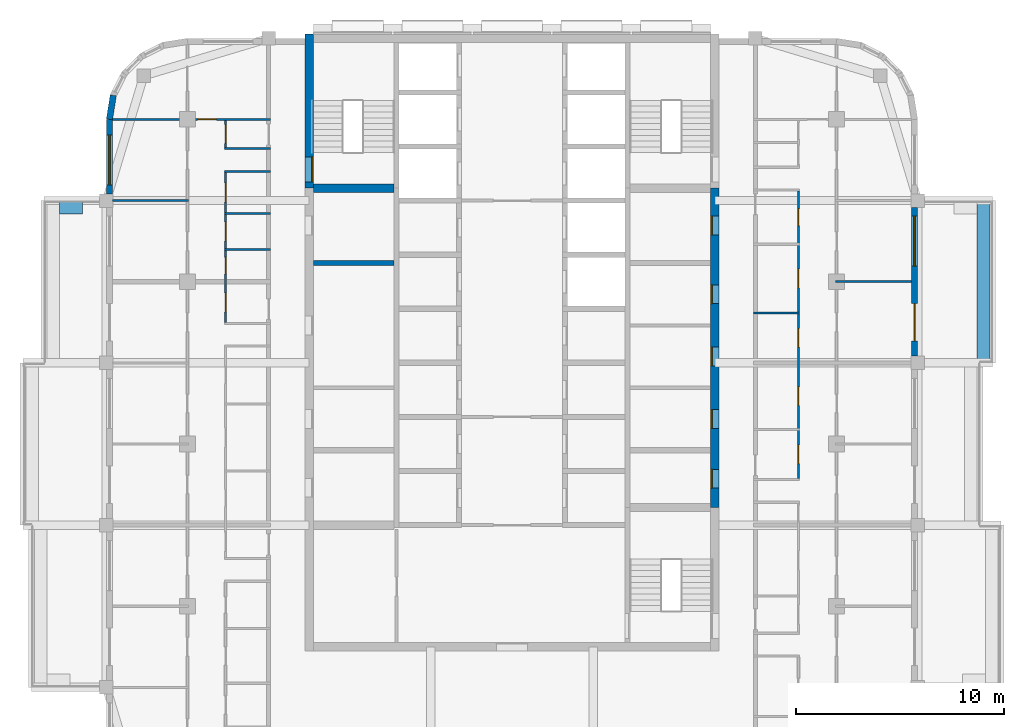
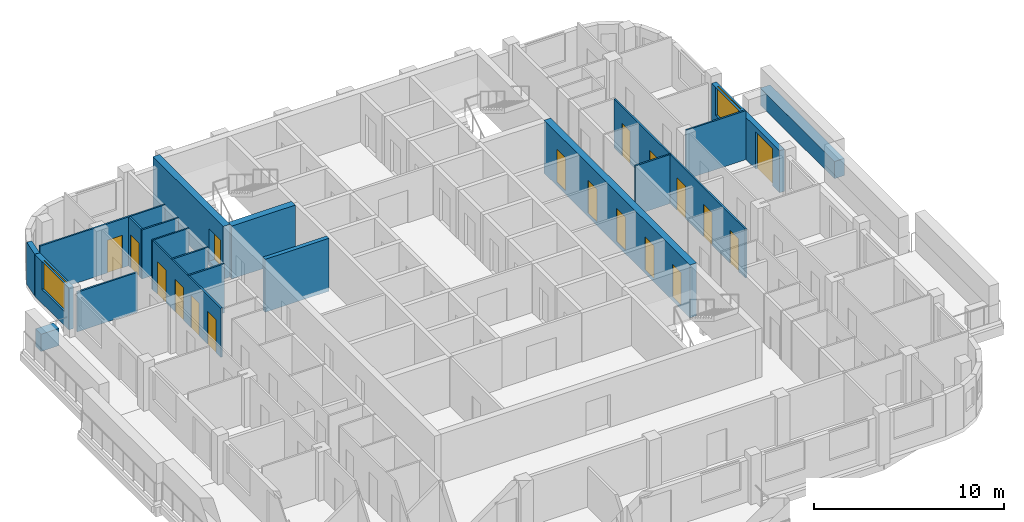
# One storey, part 7 of 13: 20 walls, 18 doors, 2 windows, 20 openings.
"""IFC4 building model written with IfcOpenShell, lengths in metres."""

from ifc_helpers import new_model, si_unit, direction, frame, frame_2d, origin, place, context, subcontext, project, spatial, rectangle, extrude, material, layer, layer_set, type_object, element, fill, save


model = new_model("IFC4")

# Units and contexts
model_context = context("Model", 3, precision=1e-05, world=origin(), true_north=direction((0.0, 1.0)))
body_context = subcontext(model_context, "Body", "Model", "MODEL_VIEW")
ifc_project = project(units=[si_unit("LENGTHUNIT", "METRE"), si_unit("AREAUNIT", "SQUARE_METRE"), si_unit("VOLUMEUNIT", "CUBIC_METRE"), si_unit("PLANEANGLEUNIT", "RADIAN"), si_unit("MASSUNIT", "GRAM", prefix="KILO")], contexts=[model_context])

# Site, building, storey
site_placement = place(None, origin())
site = spatial("IfcSite", under=ifc_project, at=site_placement, CompositionType="ELEMENT")
building_placement = place(site_placement, origin())
building = spatial("IfcBuilding", under=site, at=building_placement, Name="Ludao Terraces", CompositionType="ELEMENT")
storey_placement = place(building_placement, frame((0.0, 0.0, 252.800048828125)))
storey = spatial("IfcBuildingStorey", under=building, at=storey_placement, Name="L69", CompositionType="ELEMENT", Elevation=252.800048828125)

# Wall, opening, door
ifc_material_1 = material(Name="Concrete C50", Category="concrete")
ifc_layer_1 = layer(ifc_material_1, 0.39990234375)
ifc_layer_set_1 = layer_set([ifc_layer_1], Name="Core wall 400 C50")
wall_type_1 = type_object("IfcWallType", Name="Core wall 400 C50", PredefinedType="SOLIDWALL", material=ifc_layer_set_1)
wall_1_placement = place(storey_placement, frame((75.25, 77.300048828125, -0.25), z_axis=(0.0, 0.0, 1.0), x_axis=(0.0, 1.0, 0.0)))
wall_1 = element("IfcWall", 1, at=wall_1_placement, inside=storey, type_object=wall_type_1, Name="Core wall L69 outer-W-S1", PredefinedType="SOLIDWALL", context=body_context, shape_type="SweptSolid", body=[
    extrude(rectangle(XDim=7.39990234375, YDim=0.39990234375, at=frame_2d((3.699951171875, 0.0))), origin(), (0.0, 0.0, 1.0), 3.39990234375),
])
opening_1_placement = place(wall_1_placement, frame((0.300048828125, 0.0, 0.25)))
opening_1 = element("IfcOpeningElement", 2, at=opening_1_placement, cuts=wall_1, Name="Opening R25-078", PredefinedType="OPENING", context=body_context, shape_type="SweptSolid", body=[
    extrude(rectangle(XDim=1.199951171875, YDim=2.10009765625, at=frame_2d((0.60009765625, 1.050048828125))), frame((0.0, 0.2099609375, 0.0), z_axis=(0.0, -1.0, 0.0), x_axis=(1.0, 0.0, 0.0)), (0.0, 0.0, 1.0), 0.419921875),
])
ifc_material_2 = material(Name="Steel Q235", Category="steel")
door_type_1 = type_object("IfcDoorType", Name="INT Stair door 1200", OperationType="DOUBLE_DOOR_SINGLE_SWING", PredefinedType="DOOR", material=ifc_material_2)
door_1_placement = place(opening_1_placement, origin())
door_1 = element("IfcDoor", 3, at=door_1_placement, inside=storey, type_object=door_type_1, Name="DOOR 078", OperationType="DOUBLE_DOOR_SINGLE_SWING", OverallHeight=2.10009765625, OverallWidth=1.199951171875, PredefinedType="DOOR", context=body_context, shape_type="SweptSolid", body=[
    extrude(rectangle(XDim=1.199951171875, YDim=2.10009765625, at=frame_2d((0.60009765625, 1.050048828125))), frame((0.0, -0.134765625, 0.0), z_axis=(0.0, -1.0, 0.0), x_axis=(1.0, 0.0, 0.0)), (0.0, 0.0, 1.0), 0.050048828125),
])
fill(opening_1, door_1)

# Wall, openings, doors
wall_2_placement = place(storey_placement, frame((94.75, 61.949951171875, -0.25), z_axis=(0.0, 0.0, 1.0), x_axis=(0.0, 1.0, 0.0)))
wall_2 = element("IfcWall", 4, at=wall_2_placement, inside=storey, type_object=wall_type_1, Name="Core wall L69 outer-E", PredefinedType="SOLIDWALL", context=body_context, shape_type="SweptSolid", body=[
    extrude(rectangle(XDim=15.35009765625, YDim=0.39990234375, at=frame_2d((7.675048828125, 0.0))), origin(), (0.0, 0.0, 1.0), 3.39990234375),
])
opening_2_placement = place(wall_2_placement, frame((0.925048828125, 0.0, 0.25)))
opening_2 = element("IfcOpeningElement", 5, at=opening_2_placement, cuts=wall_2, Name="Opening R25-036", PredefinedType="OPENING", context=body_context, shape_type="SweptSolid", body=[
    extrude(rectangle(XDim=0.89990234375, YDim=2.10009765625, at=frame_2d((0.449951171875, 1.050048828125))), frame((0.0, 0.2099609375, 0.0), z_axis=(0.0, -1.0, 0.0), x_axis=(1.0, 0.0, 0.0)), (0.0, 0.0, 1.0), 0.419921875),
])
opening_3_placement = place(wall_2_placement, frame((3.800048828125, 0.0, 0.25)))
opening_3 = element("IfcOpeningElement", 6, at=opening_3_placement, cuts=wall_2, Name="Opening R25-043", PredefinedType="OPENING", context=body_context, shape_type="SweptSolid", body=[
    extrude(rectangle(XDim=0.89990234375, YDim=2.10009765625, at=frame_2d((0.449951171875, 1.050048828125))), frame((0.0, 0.2099609375, 0.0), z_axis=(0.0, -1.0, 0.0), x_axis=(1.0, 0.0, 0.0)), (0.0, 0.0, 1.0), 0.419921875),
])
opening_4_placement = place(wall_2_placement, frame((6.800048828125, 0.0, 0.25)))
opening_4 = element("IfcOpeningElement", 7, at=opening_4_placement, cuts=wall_2, Name="Opening R25-051", PredefinedType="OPENING", context=body_context, shape_type="SweptSolid", body=[
    extrude(rectangle(XDim=0.89990234375, YDim=2.10009765625, at=frame_2d((0.449951171875, 1.050048828125))), frame((0.0, 0.2099609375, 0.0), z_axis=(0.0, -1.0, 0.0), x_axis=(1.0, 0.0, 0.0)), (0.0, 0.0, 1.0), 0.419921875),
])
opening_5_placement = place(wall_2_placement, frame((9.800048828125, 0.0, 0.25)))
opening_5 = element("IfcOpeningElement", 8, at=opening_5_placement, cuts=wall_2, Name="Opening R25-060", PredefinedType="OPENING", context=body_context, shape_type="SweptSolid", body=[
    extrude(rectangle(XDim=0.89990234375, YDim=2.10009765625, at=frame_2d((0.449951171875, 1.050048828125))), frame((0.0, 0.2099609375, 0.0), z_axis=(0.0, -1.0, 0.0), x_axis=(1.0, 0.0, 0.0)), (0.0, 0.0, 1.0), 0.419921875),
])
opening_6_placement = place(wall_2_placement, frame((13.10009765625, 0.0, 0.25)))
opening_6 = element("IfcOpeningElement", 9, at=opening_6_placement, cuts=wall_2, Name="Opening R25-071", PredefinedType="OPENING", context=body_context, shape_type="SweptSolid", body=[
    extrude(rectangle(XDim=0.89990234375, YDim=2.10009765625, at=frame_2d((0.449951171875, 1.050048828125))), frame((0.0, 0.2099609375, 0.0), z_axis=(0.0, -1.0, 0.0), x_axis=(1.0, 0.0, 0.0)), (0.0, 0.0, 1.0), 0.419921875),
])
door_type_2 = type_object("IfcDoorType", Name="INT Riser door 900", OperationType="SINGLE_SWING_LEFT", PredefinedType="DOOR", material=ifc_material_2)
door_2_placement = place(opening_2_placement, origin())
door_2 = element("IfcDoor", 10, at=door_2_placement, inside=storey, type_object=door_type_2, Name="DOOR 036", OperationType="SINGLE_SWING_LEFT", OverallHeight=2.10009765625, OverallWidth=0.89990234375, PredefinedType="DOOR", context=body_context, shape_type="SweptSolid", body=[
    extrude(rectangle(XDim=0.89990234375, YDim=2.10009765625, at=frame_2d((0.449951171875, 1.050048828125))), frame((0.0, 0.18505859375, 0.0), z_axis=(0.0, -1.0, 0.0), x_axis=(1.0, 0.0, 0.0)), (0.0, 0.0, 1.0), 0.050048828125),
])
fill(opening_2, door_2)
door_3_placement = place(opening_6_placement, origin())
door_3 = element("IfcDoor", 11, at=door_3_placement, inside=storey, type_object=door_type_2, Name="DOOR 071", OperationType="SINGLE_SWING_RIGHT", OverallHeight=2.10009765625, OverallWidth=0.89990234375, PredefinedType="DOOR", context=body_context, shape_type="SweptSolid", body=[
    extrude(rectangle(XDim=0.89990234375, YDim=2.10009765625, at=frame_2d((0.449951171875, 1.050048828125))), frame((0.0, 0.18505859375, 0.0), z_axis=(0.0, -1.0, 0.0), x_axis=(1.0, 0.0, 0.0)), (0.0, 0.0, 1.0), 0.050048828125),
])
fill(opening_6, door_3)
ifc_material_3 = material(Name="Timber door leaf", Category="wood")
door_type_3 = type_object("IfcDoorType", Name="INT Room door 900", OperationType="SINGLE_SWING_LEFT", PredefinedType="DOOR", material=ifc_material_3)
door_4_placement = place(opening_3_placement, origin())
door_4 = element("IfcDoor", 12, at=door_4_placement, inside=storey, type_object=door_type_3, Name="DOOR 043", OperationType="SINGLE_SWING_LEFT", OverallHeight=2.10009765625, OverallWidth=0.89990234375, PredefinedType="DOOR", context=body_context, shape_type="SweptSolid", body=[
    extrude(rectangle(XDim=0.89990234375, YDim=2.10009765625, at=frame_2d((0.449951171875, 1.050048828125))), frame((0.0, 0.18505859375, 0.0), z_axis=(0.0, -1.0, 0.0), x_axis=(1.0, 0.0, 0.0)), (0.0, 0.0, 1.0), 0.050048828125),
])
fill(opening_3, door_4)
door_5_placement = place(opening_4_placement, origin())
door_5 = element("IfcDoor", 13, at=door_5_placement, inside=storey, type_object=door_type_3, Name="DOOR 051", OperationType="SINGLE_SWING_LEFT", OverallHeight=2.10009765625, OverallWidth=0.89990234375, PredefinedType="DOOR", context=body_context, shape_type="SweptSolid", body=[
    extrude(rectangle(XDim=0.89990234375, YDim=2.10009765625, at=frame_2d((0.449951171875, 1.050048828125))), frame((0.0, 0.18505859375, 0.0), z_axis=(0.0, -1.0, 0.0), x_axis=(1.0, 0.0, 0.0)), (0.0, 0.0, 1.0), 0.050048828125),
])
fill(opening_4, door_5)
door_6_placement = place(opening_5_placement, origin())
door_6 = element("IfcDoor", 14, at=door_6_placement, inside=storey, type_object=door_type_3, Name="DOOR 060", OperationType="SINGLE_SWING_LEFT", OverallHeight=2.10009765625, OverallWidth=0.89990234375, PredefinedType="DOOR", context=body_context, shape_type="SweptSolid", body=[
    extrude(rectangle(XDim=0.89990234375, YDim=2.10009765625, at=frame_2d((0.449951171875, 1.050048828125))), frame((0.0, 0.18505859375, 0.0), z_axis=(0.0, -1.0, 0.0), x_axis=(1.0, 0.0, 0.0)), (0.0, 0.0, 1.0), 0.050048828125),
])
fill(opening_5, door_6)

# Walls
ifc_material_4 = material(Name="Concrete C40", Category="concrete")
ifc_layer_2 = layer(ifc_material_4, 0.60009765625)
ifc_layer_set_2 = layer_set([ifc_layer_2], Name="ENV Planter trough 600")
wall_type_2 = type_object("IfcWallType", Name="ENV Planter trough 600", PredefinedType="USERDEFINED", material=ifc_layer_set_2)
wall_3_placement = place(storey_placement, frame((107.64990234375, 68.89990234375, 0.0), z_axis=(0.0, 0.0, 1.0), x_axis=(0.0, 1.0, 0.0)))
element("IfcWall", 15, at=wall_3_placement, inside=storey, type_object=wall_type_2, Name="PL-L69-E3", ObjectType="PLANTER", PredefinedType="USERDEFINED", context=body_context, shape_type="SweptSolid", body=[
    extrude(rectangle(XDim=7.800048828125, YDim=0.60009765625, at=frame_2d((3.89990234375, 0.0))), origin(), (0.0, 0.0, 1.0), 1.099853515625),
])
wall_4_placement = place(storey_placement, frame((63.25, 76.35009765625, 0.0), z_axis=(0.0, 0.0, 1.0), x_axis=(1.0, 0.0, 0.0)))
element("IfcWall", 16, at=wall_4_placement, inside=storey, type_object=wall_type_2, Name="PL-L69-W3-SB", ObjectType="PLANTER", PredefinedType="USERDEFINED", context=body_context, shape_type="SweptSolid", body=[
    extrude(rectangle(XDim=1.10009765625, YDim=0.60009765625, at=frame_2d((0.550048828125, 0.0))), origin(), (0.0, 0.0, 1.0), 1.099853515625),
])

# Wall, openings, door, window
ifc_material_5 = material(Name="Granite cladding", Category="masonry")
ifc_layer_3 = layer(ifc_material_5, 0.0400390625, Category="stone")
ifc_material_6 = material(Name="Mineral wool")
ifc_layer_4 = layer(ifc_material_6, 0.06005859375)
ifc_layer_5 = layer(ifc_material_4, 0.199951171875, Category="concrete")
ifc_layer_set_3 = layer_set([ifc_layer_3, ifc_layer_4, ifc_layer_5], Name="ENV Stone-clad wall 300")
wall_type_3 = type_object("IfcWallType", Name="ENV Stone-clad wall 300", PredefinedType="SOLIDWALL", material=ifc_layer_set_3)
wall_5_placement = place(storey_placement, frame((104.35009765625, 69.22509765625, 0.0), z_axis=(0.0, 0.0, 1.0), x_axis=(0.0, 1.0, 0.0)))
wall_5 = element("IfcWall", 17, at=wall_5_placement, inside=storey, type_object=wall_type_3, Name="EW-L69-E4", PredefinedType="SOLIDWALL", context=body_context, shape_type="SweptSolid", body=[
    extrude(rectangle(XDim=7.14990234375, YDim=0.300048828125, at=frame_2d((3.574951171875, 0.0))), origin(), (0.0, 0.0, 1.0), 2.699951171875),
])
opening_7_placement = place(wall_5_placement, frame((0.72509765625, 0.0, 0.0)))
opening_7 = element("IfcOpeningElement", 18, at=opening_7_placement, cuts=wall_5, Name="Opening BD", PredefinedType="OPENING", context=body_context, shape_type="SweptSolid", body=[
    extrude(rectangle(XDim=1.800048828125, YDim=2.39990234375, at=frame_2d((0.89990234375, 1.199951171875))), frame((0.0, 0.16015625, 0.0), z_axis=(0.0, -1.0, 0.0), x_axis=(1.0, 0.0, 0.0)), (0.0, 0.0, 1.0), 0.320068359375),
])
opening_8_placement = place(wall_5_placement, frame((4.324951171875, 0.0, 0.89990234375)))
opening_8 = element("IfcOpeningElement", 19, at=opening_8_placement, cuts=wall_5, Name="Opening W1", PredefinedType="OPENING", context=body_context, shape_type="SweptSolid", body=[
    extrude(rectangle(XDim=2.39990234375, YDim=1.800048828125, at=frame_2d((1.199951171875, 0.89990234375))), frame((0.0, 0.16015625, 0.0), z_axis=(0.0, -1.0, 0.0), x_axis=(1.0, 0.0, 0.0)), (0.0, 0.0, 1.0), 0.320068359375),
])
ifc_material_7 = material(Name="Aluminium glazed door", Category="aluminium")
ifc_layer_6 = layer(ifc_material_7, 0.06005859375)
ifc_layer_set_4 = layer_set([ifc_layer_6], Name="ENV Balcony door BD 1800x2400")
door_type_4 = type_object("IfcDoorType", Name="ENV Balcony door BD 1800x2400", OperationType="DOUBLE_DOOR_SINGLE_SWING", PredefinedType="DOOR", material=ifc_layer_set_4)
door_7_placement = place(opening_7_placement, origin())
door_7 = element("IfcDoor", 20, at=door_7_placement, inside=storey, type_object=door_type_4, Name="BD-L69-E4-1", OperationType="DOUBLE_DOOR_SINGLE_SWING", OverallHeight=2.39990234375, OverallWidth=1.800048828125, PredefinedType="DOOR", context=body_context, shape_type="SweptSolid", body=[
    extrude(rectangle(XDim=1.800048828125, YDim=2.39990234375, at=frame_2d((0.89990234375, 1.199951171875))), frame((0.0, 0.02490234375, 0.0), z_axis=(0.0, -1.0, 0.0), x_axis=(1.0, 0.0, 0.0)), (0.0, 0.0, 1.0), 0.050048828125),
])
fill(opening_7, door_7)
ifc_material_8 = material(Name="Clear glass in aluminium frame", Category="aluminium")
ifc_layer_7 = layer(ifc_material_8, 0.06005859375)
ifc_layer_set_5 = layer_set([ifc_layer_7], Name="ENV Window W1 2400x1800")
window_type = type_object("IfcWindowType", Name="ENV Window W1 2400x1800", PartitioningType="DOUBLE_PANEL_VERTICAL", PredefinedType="WINDOW", material=ifc_layer_set_5)
window_1_placement = place(opening_8_placement, origin())
window_1 = element("IfcWindow", 21, at=window_1_placement, inside=storey, type_object=window_type, Name="W-L69-E4-2", OverallHeight=1.800048828125, OverallWidth=2.39990234375, PartitioningType="DOUBLE_PANEL_VERTICAL", PredefinedType="WINDOW", context=body_context, shape_type="SweptSolid", body=[
    extrude(rectangle(XDim=2.39990234375, YDim=1.800048828125, at=frame_2d((1.199951171875, 0.89990234375))), frame((0.0, 0.030029296875, 0.0), z_axis=(0.0, -1.0, 0.0), x_axis=(1.0, 0.0, 0.0)), (0.0, 0.0, 1.0), 0.06005859375),
])
fill(opening_8, window_1)

# Wall, opening, window
wall_6_placement = place(storey_placement, frame((65.64990234375, 77.02490234375, 0.0), z_axis=(0.0, 0.0, 1.0), x_axis=(0.0, 1.0, 0.0)))
wall_6 = element("IfcWall", 22, at=wall_6_placement, inside=storey, type_object=wall_type_3, Name="EW-L69-W5", PredefinedType="SOLIDWALL", context=body_context, shape_type="SweptSolid", body=[
    extrude(rectangle(XDim=3.5751953125, YDim=0.300048828125, at=frame_2d((1.78759765625, 0.0))), origin(), (0.0, 0.0, 1.0), 2.699951171875),
])
opening_9_placement = place(wall_6_placement, frame((0.425048828125, 0.0, 0.89990234375)))
opening_9 = element("IfcOpeningElement", 23, at=opening_9_placement, cuts=wall_6, Name="Opening W1", PredefinedType="OPENING", context=body_context, shape_type="SweptSolid", body=[
    extrude(rectangle(XDim=2.39990234375, YDim=1.800048828125, at=frame_2d((1.199951171875, 0.89990234375))), frame((0.0, 0.16015625, 0.0), z_axis=(0.0, -1.0, 0.0), x_axis=(1.0, 0.0, 0.0)), (0.0, 0.0, 1.0), 0.320068359375),
])
window_2_placement = place(opening_9_placement, origin())
window_2 = element("IfcWindow", 24, at=window_2_placement, inside=storey, type_object=window_type, Name="W-L69-W5-1", OverallHeight=1.800048828125, OverallWidth=2.39990234375, PartitioningType="DOUBLE_PANEL_VERTICAL", PredefinedType="WINDOW", context=body_context, shape_type="SweptSolid", body=[
    extrude(rectangle(XDim=2.39990234375, YDim=1.800048828125, at=frame_2d((1.199951171875, 0.89990234375))), frame((0.0, 0.030029296875, 0.0), z_axis=(0.0, -1.0, 0.0), x_axis=(1.0, 0.0, 0.0)), (0.0, 0.0, 1.0), 0.06005859375),
])
fill(opening_9, window_2)

# Walls
wall_7_placement = place(storey_placement, frame((65.83349609375, 81.7587890625, 0.0), z_axis=(0.0, 0.0, 1.0), x_axis=(-0.156496880861, -0.987678452879, 0.0)))
element("IfcWall", 25, at=wall_7_placement, inside=storey, type_object=wall_type_3, Name="EW-L69-NW5", PredefinedType="SOLIDWALL", context=body_context, shape_type="SweptSolid", body=[
    extrude(rectangle(XDim=1.173095703125, YDim=0.300048828125, at=frame_2d((0.58642578125, 0.0))), origin(), (0.0, 0.0, 1.0), 2.699951171875),
])
ifc_material_9 = material(Name="Gypsum plasterboard", Category="gypsum")
ifc_layer_8 = layer(ifc_material_9, 0.012451171875, Category="gypsum")
ifc_layer_9 = layer(ifc_material_6, 0.06005859375, Name="insulation")
ifc_layer_10 = layer(ifc_material_2, 0.014892578125, Name="stud")
ifc_layer_11 = layer(ifc_material_9, 0.012451171875, Category="gypsum")
ifc_layer_set_6 = layer_set([ifc_layer_8, ifc_layer_9, ifc_layer_10, ifc_layer_11], Name="INT Partition 100")
wall_type_4 = type_object("IfcWallType", Name="INT Partition 100", PredefinedType="PARTITIONING", material=ifc_layer_set_6)
wall_8_placement = place(storey_placement, frame((96.60009765625, 71.300048828125, 0.0), z_axis=(0.0, 0.0, 1.0), x_axis=(1.0, 0.0, 0.0)))
element("IfcWall", 26, at=wall_8_placement, inside=storey, type_object=wall_type_4, Name="PW-L69-PW034", PredefinedType="PARTITIONING", context=body_context, shape_type="SweptSolid", body=[
    extrude(rectangle(XDim=2.219970703125, YDim=0.10009765625, at=frame_2d((1.10986328125, 0.0))), origin(), (0.0, 0.0, 1.0), 3.14990234375),
])
wall_9_placement = place(storey_placement, frame((100.550048828125, 72.800048828125, 0.0), z_axis=(0.0, 0.0, 1.0), x_axis=(1.0, 0.0, 0.0)))
element("IfcWall", 27, at=wall_9_placement, inside=storey, type_object=wall_type_4, Name="PW-L69-PW036", PredefinedType="PARTITIONING", context=body_context, shape_type="SweptSolid", body=[
    extrude(rectangle(XDim=3.650146484375, YDim=0.10009765625, at=frame_2d((1.8251953125, 0.0))), origin(), (0.0, 0.0, 1.0), 3.14990234375),
])
for number, where, z_axis, x_axis, name in (
    (28, (71.18017578125, 74.35009765625, 0.0), (0.0, 0.0, 1.0), (1.0, 0.0, 0.0), "PW-L69-PW037"),
    (29, (71.18017578125, 76.080078125, 0.0), (0.0, 0.0, 1.0), (1.0, 0.0, 0.0), "PW-L69-PW039"),
):
    element("IfcWall", number, at=place(storey_placement, frame(where, z_axis=z_axis, x_axis=x_axis)), inside=storey, type_object=wall_type_4, Name=name, PredefinedType="PARTITIONING", context=body_context, shape_type="SweptSolid", body=[
        extrude(rectangle(XDim=2.219970703125, YDim=0.10009765625, at=frame_2d((1.10986328125, 0.0))), origin(), (0.0, 0.0, 1.0), 3.14990234375),
    ])
wall_10_placement = place(storey_placement, frame((65.800048828125, 76.699951171875, 0.0), z_axis=(0.0, 0.0, 1.0), x_axis=(1.0, 0.0, 0.0)))
element("IfcWall", 30, at=wall_10_placement, inside=storey, type_object=wall_type_4, Name="PW-L69-PW040", PredefinedType="PARTITIONING", context=body_context, shape_type="SweptSolid", body=[
    extrude(rectangle(XDim=3.650146484375, YDim=0.10009765625, at=frame_2d((1.8251953125, 0.0))), origin(), (0.0, 0.0, 1.0), 2.5498046875),
])
for number, where, z_axis, x_axis, name in (
    (31, (71.18017578125, 78.10009765625, 0.0), (0.0, 0.0, 1.0), (1.0, 0.0, 0.0), "PW-L69-PW044"),
    (32, (71.18017578125, 79.199951171875, 0.0), (0.0, 0.0, 1.0), (1.0, 0.0, 0.0), "PW-L69-PW046"),
):
    element("IfcWall", number, at=place(storey_placement, frame(where, z_axis=z_axis, x_axis=x_axis)), inside=storey, type_object=wall_type_4, Name=name, PredefinedType="PARTITIONING", context=body_context, shape_type="SweptSolid", body=[
        extrude(rectangle(XDim=2.219970703125, YDim=0.10009765625, at=frame_2d((1.10986328125, 0.0))), origin(), (0.0, 0.0, 1.0), 3.14990234375),
    ])

# Wall, opening, door
wall_11_placement = place(storey_placement, frame((65.800048828125, 80.60009765625, 0.0), z_axis=(0.0, 0.0, 1.0), x_axis=(1.0, 0.0, 0.0)))
wall_11 = element("IfcWall", 33, at=wall_11_placement, inside=storey, type_object=wall_type_4, Name="PW-L69-PW048", PredefinedType="PARTITIONING", context=body_context, shape_type="SweptSolid", body=[
    extrude(rectangle(XDim=7.60009765625, YDim=0.10009765625, at=frame_2d((3.800048828125, 0.0))), origin(), (0.0, 0.0, 1.0), 3.14990234375),
])
opening_10_placement = place(wall_11_placement, frame((4.090087890625, 0.0, 0.0)))
opening_10 = element("IfcOpeningElement", 34, at=opening_10_placement, cuts=wall_11, Name="Opening R25-086", PredefinedType="OPENING", context=body_context, shape_type="SweptSolid", body=[
    extrude(rectangle(XDim=0.89990234375, YDim=2.10009765625, at=frame_2d((0.449951171875, 1.050048828125))), frame((0.0, 0.06005859375, 0.0), z_axis=(0.0, -1.0, 0.0), x_axis=(1.0, 0.0, 0.0)), (0.0, 0.0, 1.0), 0.1201171875),
])
door_8_placement = place(opening_10_placement, origin())
door_8 = element("IfcDoor", 35, at=door_8_placement, inside=storey, type_object=door_type_3, Name="DOOR 086", OperationType="SINGLE_SWING_RIGHT", OverallHeight=2.10009765625, OverallWidth=0.89990234375, PredefinedType="DOOR", context=body_context, shape_type="SweptSolid", body=[
    extrude(rectangle(XDim=0.89990234375, YDim=2.10009765625, at=frame_2d((0.449951171875, 1.050048828125))), frame((0.0, 0.02490234375, 0.0), z_axis=(0.0, -1.0, 0.0), x_axis=(1.0, 0.0, 0.0)), (0.0, 0.0, 1.0), 0.050048828125),
])
fill(opening_10, door_8)

# Wall, openings, doors
wall_12_placement = place(storey_placement, frame((71.22998046875, 70.85009765625, 0.0), z_axis=(0.0, 0.0, 1.0), x_axis=(0.0, 1.0, 0.0)))
wall_12 = element("IfcWall", 36, at=wall_12_placement, inside=storey, type_object=wall_type_4, Name="PW-L69-PW053", PredefinedType="PARTITIONING", context=body_context, shape_type="SweptSolid", body=[
    extrude(rectangle(XDim=7.199951171875, YDim=0.10009765625, at=frame_2d((3.60009765625, 0.0))), origin(), (0.0, 0.0, 1.0), 3.14990234375),
])
opening_11_placement = place(wall_12_placement, frame((0.5, 0.0, 0.0)))
opening_11 = element("IfcOpeningElement", 37, at=opening_11_placement, cuts=wall_12, Name="Opening R25-059", PredefinedType="OPENING", context=body_context, shape_type="SweptSolid", body=[
    extrude(rectangle(XDim=0.89990234375, YDim=2.10009765625, at=frame_2d((0.449951171875, 1.050048828125))), frame((0.0, 0.06005859375, 0.0), z_axis=(0.0, -1.0, 0.0), x_axis=(1.0, 0.0, 0.0)), (0.0, 0.0, 1.0), 0.1201171875),
])
opening_12_placement = place(wall_12_placement, frame((2.324951171875, 0.0, 0.0)))
opening_12 = element("IfcOpeningElement", 38, at=opening_12_placement, cuts=wall_12, Name="Opening R25-064", PredefinedType="OPENING", context=body_context, shape_type="SweptSolid", body=[
    extrude(rectangle(XDim=0.800048828125, YDim=2.10009765625, at=frame_2d((0.39990234375, 1.050048828125))), frame((0.0, 0.06005859375, 0.0), z_axis=(0.0, -1.0, 0.0), x_axis=(1.0, 0.0, 0.0)), (0.0, 0.0, 1.0), 0.1201171875),
])
opening_13_placement = place(wall_12_placement, frame((3.9150390625, 0.0, 0.0)))
opening_13 = element("IfcOpeningElement", 39, at=opening_13_placement, cuts=wall_12, Name="Opening R25-067", PredefinedType="OPENING", context=body_context, shape_type="SweptSolid", body=[
    extrude(rectangle(XDim=0.89990234375, YDim=2.10009765625, at=frame_2d((0.449951171875, 1.050048828125))), frame((0.0, 0.06005859375, 0.0), z_axis=(0.0, -1.0, 0.0), x_axis=(1.0, 0.0, 0.0)), (0.0, 0.0, 1.0), 0.1201171875),
])
opening_14_placement = place(wall_12_placement, frame((5.7900390625, 0.0, 0.0)))
opening_14 = element("IfcOpeningElement", 40, at=opening_14_placement, cuts=wall_12, Name="Opening R25-075", PredefinedType="OPENING", context=body_context, shape_type="SweptSolid", body=[
    extrude(rectangle(XDim=0.89990234375, YDim=2.10009765625, at=frame_2d((0.449951171875, 1.050048828125))), frame((0.0, 0.06005859375, 0.0), z_axis=(0.0, -1.0, 0.0), x_axis=(1.0, 0.0, 0.0)), (0.0, 0.0, 1.0), 0.1201171875),
])
door_type_5 = type_object("IfcDoorType", Name="INT Bathroom door 900", OperationType="SINGLE_SWING_LEFT", PredefinedType="DOOR", material=ifc_material_3)
door_9_placement = place(opening_11_placement, origin())
door_9 = element("IfcDoor", 41, at=door_9_placement, inside=storey, type_object=door_type_5, Name="DOOR 059", OperationType="SINGLE_SWING_RIGHT", OverallHeight=2.10009765625, OverallWidth=0.89990234375, PredefinedType="DOOR", context=body_context, shape_type="SweptSolid", body=[
    extrude(rectangle(XDim=0.89990234375, YDim=2.10009765625, at=frame_2d((0.449951171875, 1.050048828125))), frame((0.0, 0.02490234375, 0.0), z_axis=(0.0, -1.0, 0.0), x_axis=(1.0, 0.0, 0.0)), (0.0, 0.0, 1.0), 0.050048828125),
])
fill(opening_11, door_9)
door_10_placement = place(opening_13_placement, origin())
door_10 = element("IfcDoor", 42, at=door_10_placement, inside=storey, type_object=door_type_5, Name="DOOR 067", OperationType="SINGLE_SWING_RIGHT", OverallHeight=2.10009765625, OverallWidth=0.89990234375, PredefinedType="DOOR", context=body_context, shape_type="SweptSolid", body=[
    extrude(rectangle(XDim=0.89990234375, YDim=2.10009765625, at=frame_2d((0.449951171875, 1.050048828125))), frame((0.0, 0.02490234375, 0.0), z_axis=(0.0, -1.0, 0.0), x_axis=(1.0, 0.0, 0.0)), (0.0, 0.0, 1.0), 0.050048828125),
])
fill(opening_13, door_10)
door_11_placement = place(opening_14_placement, origin())
door_11 = element("IfcDoor", 43, at=door_11_placement, inside=storey, type_object=door_type_3, Name="DOOR 075", OperationType="SINGLE_SWING_RIGHT", OverallHeight=2.10009765625, OverallWidth=0.89990234375, PredefinedType="DOOR", context=body_context, shape_type="SweptSolid", body=[
    extrude(rectangle(XDim=0.89990234375, YDim=2.10009765625, at=frame_2d((0.449951171875, 1.050048828125))), frame((0.0, 0.02490234375, 0.0), z_axis=(0.0, -1.0, 0.0), x_axis=(1.0, 0.0, 0.0)), (0.0, 0.0, 1.0), 0.050048828125),
])
fill(opening_14, door_11)
door_type_6 = type_object("IfcDoorType", Name="INT Store door 800", OperationType="SINGLE_SWING_LEFT", PredefinedType="DOOR", material=ifc_material_3)
door_12_placement = place(opening_12_placement, origin())
door_12 = element("IfcDoor", 44, at=door_12_placement, inside=storey, type_object=door_type_6, Name="DOOR 064", OperationType="SINGLE_SWING_RIGHT", OverallHeight=2.10009765625, OverallWidth=0.800048828125, PredefinedType="DOOR", context=body_context, shape_type="SweptSolid", body=[
    extrude(rectangle(XDim=0.800048828125, YDim=2.10009765625, at=frame_2d((0.39990234375, 1.050048828125))), frame((0.0, 0.02490234375, 0.0), z_axis=(0.0, -1.0, 0.0), x_axis=(1.0, 0.0, 0.0)), (0.0, 0.0, 1.0), 0.050048828125),
])
fill(opening_12, door_12)

# Wall, opening, door
wall_13_placement = place(storey_placement, frame((71.22998046875, 79.25, 0.0), z_axis=(0.0, 0.0, 1.0), x_axis=(0.0, 1.0, 0.0)))
wall_13 = element("IfcWall", 45, at=wall_13_placement, inside=storey, type_object=wall_type_4, Name="PW-L69-PW054", PredefinedType="PARTITIONING", context=body_context, shape_type="SweptSolid", body=[
    extrude(rectangle(XDim=1.300048828125, YDim=0.10009765625, at=frame_2d((0.64990234375, 0.0))), origin(), (0.0, 0.0, 1.0), 3.14990234375),
])
opening_15_placement = place(wall_13_placement, frame((0.2001953125, 0.0, 0.0)))
opening_15 = element("IfcOpeningElement", 46, at=opening_15_placement, cuts=wall_13, Name="Opening R25-084", PredefinedType="OPENING", context=body_context, shape_type="SweptSolid", body=[
    extrude(rectangle(XDim=0.89990234375, YDim=2.10009765625, at=frame_2d((0.449951171875, 1.050048828125))), frame((0.0, 0.06005859375, 0.0), z_axis=(0.0, -1.0, 0.0), x_axis=(1.0, 0.0, 0.0)), (0.0, 0.0, 1.0), 0.1201171875),
])
door_13_placement = place(opening_15_placement, origin())
door_13 = element("IfcDoor", 47, at=door_13_placement, inside=storey, type_object=door_type_5, Name="DOOR 084", OperationType="SINGLE_SWING_RIGHT", OverallHeight=2.10009765625, OverallWidth=0.89990234375, PredefinedType="DOOR", context=body_context, shape_type="SweptSolid", body=[
    extrude(rectangle(XDim=0.89990234375, YDim=2.10009765625, at=frame_2d((0.449951171875, 1.050048828125))), frame((0.0, 0.02490234375, 0.0), z_axis=(0.0, -1.0, 0.0), x_axis=(1.0, 0.0, 0.0)), (0.0, 0.0, 1.0), 0.050048828125),
])
fill(opening_15, door_13)

# Wall, openings, doors
wall_14_placement = place(storey_placement, frame((98.77001953125, 63.35009765625, 0.0), z_axis=(0.0, 0.0, 1.0), x_axis=(0.0, 1.0, 0.0)))
wall_14 = element("IfcWall", 48, at=wall_14_placement, inside=storey, type_object=wall_type_4, Name="PW-L69-PW063", PredefinedType="PARTITIONING", context=body_context, shape_type="SweptSolid", body=[
    extrude(rectangle(XDim=13.800048828125, YDim=0.10009765625, at=frame_2d((6.89990234375, 0.0))), origin(), (0.0, 0.0, 1.0), 3.14990234375),
])
opening_16_placement = place(wall_14_placement, frame((0.699951171875, 0.0, 0.0)))
opening_16 = element("IfcOpeningElement", 49, at=opening_16_placement, cuts=wall_14, Name="Opening R25-038", PredefinedType="OPENING", context=body_context, shape_type="SweptSolid", body=[
    extrude(rectangle(XDim=0.89990234375, YDim=2.10009765625, at=frame_2d((0.449951171875, 1.050048828125))), frame((0.0, 0.06005859375, 0.0), z_axis=(0.0, -1.0, 0.0), x_axis=(1.0, 0.0, 0.0)), (0.0, 0.0, 1.0), 0.1201171875),
])
opening_17_placement = place(wall_14_placement, frame((3.5, 0.0, 0.0)))
opening_17 = element("IfcOpeningElement", 50, at=opening_17_placement, cuts=wall_14, Name="Opening R25-047", PredefinedType="OPENING", context=body_context, shape_type="SweptSolid", body=[
    extrude(rectangle(XDim=0.89990234375, YDim=2.10009765625, at=frame_2d((0.449951171875, 1.050048828125))), frame((0.0, 0.06005859375, 0.0), z_axis=(0.0, -1.0, 0.0), x_axis=(1.0, 0.0, 0.0)), (0.0, 0.0, 1.0), 0.1201171875),
])
opening_18_placement = place(wall_14_placement, frame((6.300048828125, 0.0, 0.0)))
opening_18 = element("IfcOpeningElement", 51, at=opening_18_placement, cuts=wall_14, Name="Opening R25-052", PredefinedType="OPENING", context=body_context, shape_type="SweptSolid", body=[
    extrude(rectangle(XDim=0.89990234375, YDim=2.10009765625, at=frame_2d((0.449951171875, 1.050048828125))), frame((0.0, 0.06005859375, 0.0), z_axis=(0.0, -1.0, 0.0), x_axis=(1.0, 0.0, 0.0)), (0.0, 0.0, 1.0), 0.1201171875),
])
opening_19_placement = place(wall_14_placement, frame((9.14990234375, 0.0, 0.0)))
opening_19 = element("IfcOpeningElement", 52, at=opening_19_placement, cuts=wall_14, Name="Opening R25-063", PredefinedType="OPENING", context=body_context, shape_type="SweptSolid", body=[
    extrude(rectangle(XDim=0.89990234375, YDim=2.10009765625, at=frame_2d((0.449951171875, 1.050048828125))), frame((0.0, 0.06005859375, 0.0), z_axis=(0.0, -1.0, 0.0), x_axis=(1.0, 0.0, 0.0)), (0.0, 0.0, 1.0), 0.1201171875),
])
opening_20_placement = place(wall_14_placement, frame((12.14990234375, 0.0, 0.0)))
opening_20 = element("IfcOpeningElement", 53, at=opening_20_placement, cuts=wall_14, Name="Opening R25-072", PredefinedType="OPENING", context=body_context, shape_type="SweptSolid", body=[
    extrude(rectangle(XDim=0.800048828125, YDim=2.10009765625, at=frame_2d((0.39990234375, 1.050048828125))), frame((0.0, 0.06005859375, 0.0), z_axis=(0.0, -1.0, 0.0), x_axis=(1.0, 0.0, 0.0)), (0.0, 0.0, 1.0), 0.1201171875),
])
door_14_placement = place(opening_16_placement, origin())
door_14 = element("IfcDoor", 54, at=door_14_placement, inside=storey, type_object=door_type_5, Name="DOOR 038", OperationType="SINGLE_SWING_LEFT", OverallHeight=2.10009765625, OverallWidth=0.89990234375, PredefinedType="DOOR", context=body_context, shape_type="SweptSolid", body=[
    extrude(rectangle(XDim=0.89990234375, YDim=2.10009765625, at=frame_2d((0.449951171875, 1.050048828125))), frame((0.0, 0.02490234375, 0.0), z_axis=(0.0, -1.0, 0.0), x_axis=(1.0, 0.0, 0.0)), (0.0, 0.0, 1.0), 0.050048828125),
])
fill(opening_16, door_14)
door_15_placement = place(opening_18_placement, origin())
door_15 = element("IfcDoor", 55, at=door_15_placement, inside=storey, type_object=door_type_5, Name="DOOR 052", OperationType="SINGLE_SWING_LEFT", OverallHeight=2.10009765625, OverallWidth=0.89990234375, PredefinedType="DOOR", context=body_context, shape_type="SweptSolid", body=[
    extrude(rectangle(XDim=0.89990234375, YDim=2.10009765625, at=frame_2d((0.449951171875, 1.050048828125))), frame((0.0, 0.02490234375, 0.0), z_axis=(0.0, -1.0, 0.0), x_axis=(1.0, 0.0, 0.0)), (0.0, 0.0, 1.0), 0.050048828125),
])
fill(opening_18, door_15)
door_16_placement = place(opening_17_placement, origin())
door_16 = element("IfcDoor", 56, at=door_16_placement, inside=storey, type_object=door_type_3, Name="DOOR 047", OperationType="SINGLE_SWING_RIGHT", OverallHeight=2.10009765625, OverallWidth=0.89990234375, PredefinedType="DOOR", context=body_context, shape_type="SweptSolid", body=[
    extrude(rectangle(XDim=0.89990234375, YDim=2.10009765625, at=frame_2d((0.449951171875, 1.050048828125))), frame((0.0, 0.02490234375, 0.0), z_axis=(0.0, -1.0, 0.0), x_axis=(1.0, 0.0, 0.0)), (0.0, 0.0, 1.0), 0.050048828125),
])
fill(opening_17, door_16)
door_17_placement = place(opening_19_placement, origin())
door_17 = element("IfcDoor", 57, at=door_17_placement, inside=storey, type_object=door_type_3, Name="DOOR 063", OperationType="SINGLE_SWING_LEFT", OverallHeight=2.10009765625, OverallWidth=0.89990234375, PredefinedType="DOOR", context=body_context, shape_type="SweptSolid", body=[
    extrude(rectangle(XDim=0.89990234375, YDim=2.10009765625, at=frame_2d((0.449951171875, 1.050048828125))), frame((0.0, 0.02490234375, 0.0), z_axis=(0.0, -1.0, 0.0), x_axis=(1.0, 0.0, 0.0)), (0.0, 0.0, 1.0), 0.050048828125),
])
fill(opening_19, door_17)
door_18_placement = place(opening_20_placement, origin())
door_18 = element("IfcDoor", 58, at=door_18_placement, inside=storey, type_object=door_type_6, Name="DOOR 072", OperationType="SINGLE_SWING_LEFT", OverallHeight=2.10009765625, OverallWidth=0.800048828125, PredefinedType="DOOR", context=body_context, shape_type="SweptSolid", body=[
    extrude(rectangle(XDim=0.800048828125, YDim=2.10009765625, at=frame_2d((0.39990234375, 1.050048828125))), frame((0.0, 0.02490234375, 0.0), z_axis=(0.0, -1.0, 0.0), x_axis=(1.0, 0.0, 0.0)), (0.0, 0.0, 1.0), 0.050048828125),
])
fill(opening_20, door_18)

# Walls
ifc_layer_12 = layer(ifc_material_1, 0.25)
ifc_layer_set_7 = layer_set([ifc_layer_12], Name="Shaft wall 250 C50")
wall_type_5 = type_object("IfcWallType", Name="Shaft wall 250 C50", PredefinedType="SOLIDWALL", material=ifc_layer_set_7)
wall_15_placement = place(storey_placement, frame((75.449951171875, 73.699951171875, -0.25), z_axis=(0.0, 0.0, 1.0), x_axis=(1.0, 0.0, 0.0)))
element("IfcWall", 59, at=wall_15_placement, inside=storey, type_object=wall_type_5, Name="Core wall L69 riser-b-W", PredefinedType="SOLIDWALL", context=body_context, shape_type="SweptSolid", body=[
    extrude(rectangle(XDim=3.875, YDim=0.25, at=frame_2d((1.9375, 0.0))), origin(), (0.0, 0.0, 1.0), 3.39990234375),
])
ifc_layer_13 = layer(ifc_material_1, 0.39990234375)
ifc_layer_set_8 = layer_set([ifc_layer_13], Name="Shaft wall 400 C50")
wall_type_6 = type_object("IfcWallType", Name="Shaft wall 400 C50", PredefinedType="SOLIDWALL", material=ifc_layer_set_8)
wall_16_placement = place(storey_placement, frame((75.449951171875, 77.300048828125, -0.25), z_axis=(0.0, 0.0, 1.0), x_axis=(1.0, 0.0, 0.0)))
element("IfcWall", 60, at=wall_16_placement, inside=storey, type_object=wall_type_6, Name="Core wall L69 stair-W", PredefinedType="SOLIDWALL", context=body_context, shape_type="SweptSolid", body=[
    extrude(rectangle(XDim=3.875, YDim=0.39990234375, at=frame_2d((1.9375, 0.0))), origin(), (0.0, 0.0, 1.0), 3.39990234375),
])

save(model, "model.ifc")
